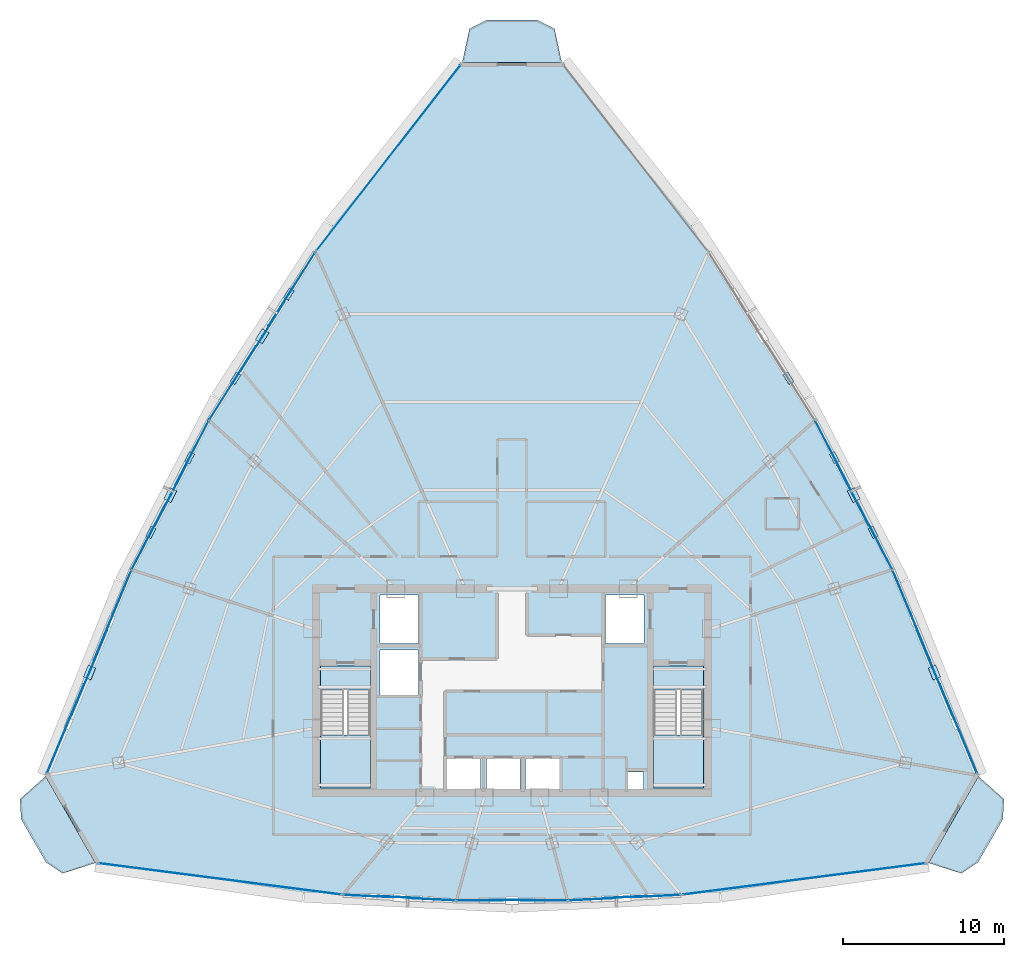
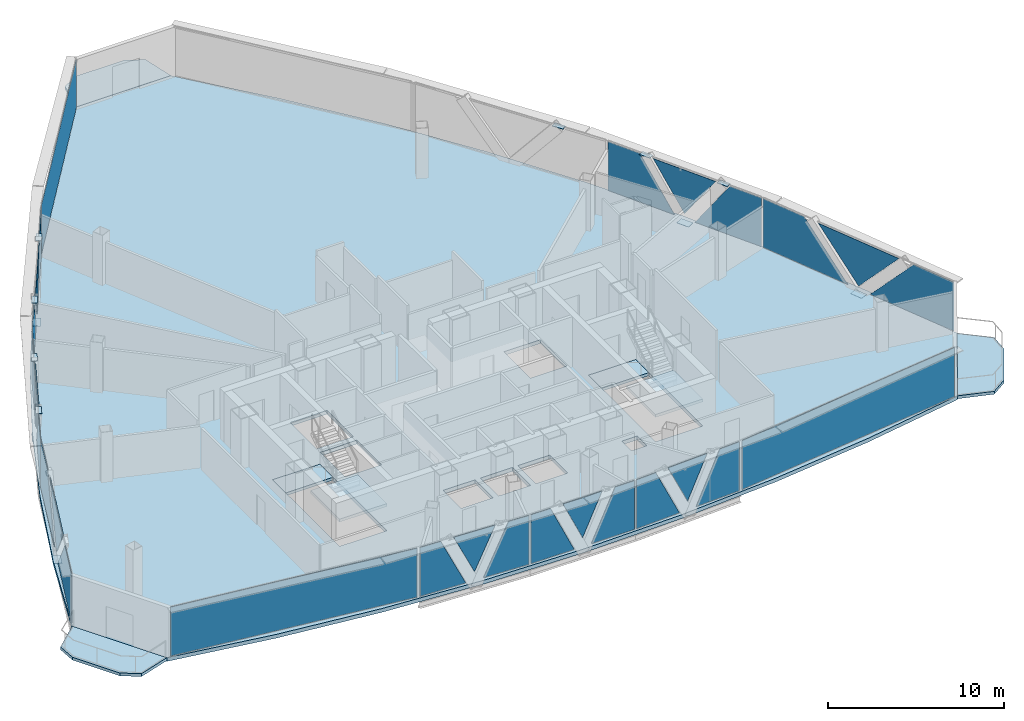
# One storey, part 26 of 33: 39 plates, 8 slabs, 13 elements without a shape of their own.
"""IFC4 building model written with IfcOpenShell, lengths in metres."""

from ifc_helpers import new_model, si_unit, direction, frame, origin, origin_2d, place, context, subcontext, project, spatial, polyline, rectangle, outline, extrude, source, transform, mapped, material, layer, layer_set, type_object, element, aggregate, save


model = new_model("IFC4")

# Units and contexts
model_context = context("Model", 3, precision=1e-05, world=origin(), true_north=direction((0.0, 1.0)))
body_context = subcontext(model_context, "Body", "Model", "MODEL_VIEW")
ifc_project = project(units=[si_unit("LENGTHUNIT", "METRE"), si_unit("AREAUNIT", "SQUARE_METRE"), si_unit("VOLUMEUNIT", "CUBIC_METRE"), si_unit("PLANEANGLEUNIT", "RADIAN"), si_unit("MASSUNIT", "GRAM", prefix="KILO"), si_unit("THERMODYNAMICTEMPERATUREUNIT", "KELVIN"), si_unit("POWERUNIT", "WATT")], contexts=[model_context])

# Site, building, storey
site_placement = place(None, origin())
site = spatial("IfcSite", under=ifc_project, at=site_placement, CompositionType="ELEMENT")
building_placement = place(site_placement, origin())
building = spatial("IfcBuilding", under=site, at=building_placement, Name="Yunzhuo Pagoda Commons", CompositionType="ELEMENT")
storey_placement = place(building_placement, frame((0.0, 0.0, 329.260009765625)))
storey = spatial("IfcBuildingStorey", under=building, at=storey_placement, Name="L82", CompositionType="ELEMENT", Elevation=329.260009765625)

# Curtain wall, plates
ifc_material_1 = material(Name="Anodized aluminium 6063-T6", Category="aluminium")
ifc_layer_1 = layer(ifc_material_1, 0.139892578125)
ifc_layer_set_1 = layer_set([ifc_layer_1], Name="Anodized aluminium 6063-T6")
curtain_wall_type = type_object("IfcCurtainWallType", Name="CW-HI High-Zone Ribbon Curtain Wall", PredefinedType="NOTDEFINED", material=ifc_layer_set_1)
curtain_wall_1_placement = place(storey_placement, origin())
curtain_wall_1 = element("IfcCurtainWall", 1, at=curtain_wall_1_placement, inside=storey, type_object=curtain_wall_type, Name="L82 curtain wall CW-L82-F1B2", PredefinedType="NOTDEFINED")
ifc_material_2 = material(Name="Tempered low-e double glazing", Category="glass")
ifc_layer_2 = layer(ifc_material_2, 0.02587890625)
ifc_layer_set_2 = layer_set([ifc_layer_2], Name="Tempered low-e double glazing")
plate_type_1 = type_object("IfcPlateType", Name="CW-HI-P Low-E Double Glazing 26", PredefinedType="CURTAIN_PANEL", material=ifc_layer_set_2)
plate_1_placement = place(storey_placement, frame((38.998046875, 21.10791015625, 1.744873046875), z_axis=(-0.049850155702, -0.998756708101, 0.0), x_axis=(0.998756708101, -0.049850155702, 0.0)))
plate_1 = element("IfcPlate", 2, at=plate_1_placement, type_object=plate_type_1, Name="CW panel 1.1 lite 1", PredefinedType="CURTAIN_PANEL", context=body_context, shape_type="SweptSolid", body=[
    extrude(outline(polyline([(-1.45361328125, -1.68994140625), (1.45361328125, -1.68994140625), (-0.139892578125, 1.68994140625), (-1.45361328125, 1.68994140625), (-1.45361328125, -1.68994140625)])), origin(), (0.0, 0.0, 1.0), 0.028076171875),
])
plate_2_placement = place(storey_placement, frame((41.01904296875, 21.037109375, 2.033203125), z_axis=(-0.049850155702, -0.998756708101, 0.0), x_axis=(0.998756708101, -0.049850155702, 0.0)))
plate_2 = element("IfcPlate", 3, at=plate_2_placement, type_object=plate_type_1, Name="CW panel 1.1 lite 2", PredefinedType="CURTAIN_PANEL", context=body_context, shape_type="SweptSolid", body=[
    extrude(outline(polyline([(-1.32177734375, 1.40185546875), (0.0, -1.40185546875), (1.32177734375, 1.40185546875), (-1.32177734375, 1.40185546875)])), origin(), (0.0, 0.0, 1.0), 0.028076171875),
])
plate_3_placement = place(storey_placement, frame((43.037109375, 20.90625, 1.744873046875), z_axis=(-0.049850155702, -0.998756708101, 0.0), x_axis=(0.998756708101, -0.049850155702, 0.0)))
plate_3 = element("IfcPlate", 4, at=plate_3_placement, type_object=plate_type_1, Name="CW panel 1.1 lite 3", PredefinedType="CURTAIN_PANEL", context=body_context, shape_type="SweptSolid", body=[
    extrude(outline(polyline([(-1.45361328125, -1.68994140625), (1.45361328125, -1.68994140625), (1.45361328125, 1.68994140625), (0.139892578125, 1.68994140625), (-1.45361328125, -1.68994140625)])), origin(), (0.0, 0.0, 1.0), 0.028076171875),
])
aggregate(curtain_wall_1, [plate_1, plate_2, plate_3])

curtain_wall_2_placement = place(storey_placement, origin())
curtain_wall_2 = element("IfcCurtainWall", 5, at=curtain_wall_2_placement, inside=storey, type_object=curtain_wall_type, Name="L82 curtain wall CW-L82-F1B3", PredefinedType="NOTDEFINED")
plate_4_placement = place(storey_placement, frame((46.0224609375, 20.8310546875, 1.744873046875), z_axis=(0.0, -1.0, 0.0), x_axis=(1.0, 0.0, 0.0)))
plate_4 = element("IfcPlate", 6, at=plate_4_placement, type_object=plate_type_1, Name="CW panel 1.1 lite 1", PredefinedType="CURTAIN_PANEL", context=body_context, shape_type="SweptSolid", body=[
    extrude(outline(polyline([(-1.414306640625, -1.68994140625), (1.414306640625, -1.68994140625), (-0.141357421875, 1.68994140625), (-1.414306640625, 1.68994140625), (-1.414306640625, -1.68994140625)])), origin(), (0.0, 0.0, 1.0), 0.028076171875),
])
plate_5_placement = place(storey_placement, frame((48.0, 20.86083984375, 2.0419921875), z_axis=(0.0, -1.0, 0.0), x_axis=(1.0, 0.0, 0.0)))
plate_5 = element("IfcPlate", 7, at=plate_5_placement, type_object=plate_type_1, Name="CW panel 1.1 lite 2", PredefinedType="CURTAIN_PANEL", context=body_context, shape_type="SweptSolid", body=[
    extrude(outline(polyline([(-1.282470703125, 1.39306640625), (0.0, -1.39306640625), (1.282470703125, 1.39306640625), (-1.282470703125, 1.39306640625)])), origin(), (0.0, 0.0, 1.0), 0.028076171875),
])
plate_6_placement = place(storey_placement, frame((49.9775390625, 20.8310546875, 1.744873046875), z_axis=(0.0, -1.0, 0.0), x_axis=(1.0, 0.0, 0.0)))
plate_6 = element("IfcPlate", 8, at=plate_6_placement, type_object=plate_type_1, Name="CW panel 1.1 lite 3", PredefinedType="CURTAIN_PANEL", context=body_context, shape_type="SweptSolid", body=[
    extrude(outline(polyline([(-1.414306640625, -1.68994140625), (1.414306640625, -1.68994140625), (1.414306640625, 1.68994140625), (0.141357421875, 1.68994140625), (-1.414306640625, -1.68994140625)])), origin(), (0.0, 0.0, 1.0), 0.028076171875),
])
aggregate(curtain_wall_2, [plate_4, plate_5, plate_6])

curtain_wall_3_placement = place(storey_placement, origin())
curtain_wall_3 = element("IfcCurtainWall", 9, at=curtain_wall_3_placement, inside=storey, type_object=curtain_wall_type, Name="L82 curtain wall CW-L82-F1B4", PredefinedType="NOTDEFINED")
plate_7_placement = place(storey_placement, frame((52.962890625, 20.90625, 1.744873046875), z_axis=(0.049850155702, -0.998756708101, 0.0), x_axis=(0.998756708101, 0.049850155702, 0.0)))
plate_7 = element("IfcPlate", 10, at=plate_7_placement, type_object=plate_type_1, Name="CW panel 1.1 lite 1", PredefinedType="CURTAIN_PANEL", context=body_context, shape_type="SweptSolid", body=[
    extrude(outline(polyline([(-1.45361328125, -1.68994140625), (1.45361328125, -1.68994140625), (-0.139892578125, 1.68994140625), (-1.45361328125, 1.68994140625), (-1.45361328125, -1.68994140625)])), origin(), (0.0, 0.0, 1.0), 0.028076171875),
])
plate_8_placement = place(storey_placement, frame((54.98095703125, 21.037109375, 2.033203125), z_axis=(0.049850155702, -0.998756708101, 0.0), x_axis=(0.998756708101, 0.049850155702, 0.0)))
plate_8 = element("IfcPlate", 11, at=plate_8_placement, type_object=plate_type_1, Name="CW panel 1.1 lite 2", PredefinedType="CURTAIN_PANEL", context=body_context, shape_type="SweptSolid", body=[
    extrude(outline(polyline([(-1.32177734375, 1.40185546875), (0.0, -1.40185546875), (1.32177734375, 1.40185546875), (-1.32177734375, 1.40185546875)])), origin(), (0.0, 0.0, 1.0), 0.028076171875),
])
plate_9_placement = place(storey_placement, frame((57.001953125, 21.10791015625, 1.744873046875), z_axis=(0.049850155702, -0.998756708101, 0.0), x_axis=(0.998756708101, 0.049850155702, 0.0)))
plate_9 = element("IfcPlate", 12, at=plate_9_placement, type_object=plate_type_1, Name="CW panel 1.1 lite 3", PredefinedType="CURTAIN_PANEL", context=body_context, shape_type="SweptSolid", body=[
    extrude(outline(polyline([(-1.45361328125, -1.68994140625), (1.45361328125, -1.68994140625), (1.45361328125, 1.68994140625), (0.139892578125, 1.68994140625), (-1.45361328125, -1.68994140625)])), origin(), (0.0, 0.0, 1.0), 0.028076171875),
])
aggregate(curtain_wall_3, [plate_7, plate_8, plate_9])

curtain_wall_4_placement = place(storey_placement, origin())
curtain_wall_4 = element("IfcCurtainWall", 13, at=curtain_wall_4_placement, inside=storey, type_object=curtain_wall_type, Name="L82 curtain wall CW-L82-F2B2", PredefinedType="NOTDEFINED")
plate_10_placement = place(storey_placement, frame((75.74462890625, 31.50146484375, 1.744873046875), z_axis=(0.923407166951, 0.383821838909, 0.0), x_axis=(-0.383821838909, 0.923407166951, 0.0)))
plate_10 = element("IfcPlate", 14, at=plate_10_placement, type_object=plate_type_1, Name="CW panel 1.1 lite 1", PredefinedType="CURTAIN_PANEL", context=body_context, shape_type="SweptSolid", body=[
    extrude(outline(polyline([(-2.989013671875, -1.68994140625), (2.989013671875, -1.68994140625), (-0.121337890625, 1.68994140625), (-2.989013671875, 1.68994140625), (-2.989013671875, -1.68994140625)])), origin(), (0.0, 0.0, 1.0), 0.028076171875),
])
plate_11_placement = place(storey_placement, frame((74.26025390625, 34.99462890625, 1.8681640625), z_axis=(0.923407166951, 0.383821838909, 0.0), x_axis=(-0.383821838909, 0.923407166951, 0.0)))
plate_11 = element("IfcPlate", 15, at=plate_11_placement, type_object=plate_type_1, Name="CW panel 1.1 lite 2", PredefinedType="CURTAIN_PANEL", context=body_context, shape_type="SweptSolid", body=[
    extrude(outline(polyline([(-2.884033203125, 1.56689453125), (0.0, -1.56689453125), (2.884033203125, 1.56689453125), (-2.884033203125, 1.56689453125)])), origin(), (0.0, 0.0, 1.0), 0.028076171875),
])
plate_12_placement = place(storey_placement, frame((72.820068359375, 38.537353515625, 1.744873046875), z_axis=(0.923407166951, 0.383821838909, 0.0), x_axis=(-0.383821838909, 0.923407166951, 0.0)))
plate_12 = element("IfcPlate", 16, at=plate_12_placement, type_object=plate_type_1, Name="CW panel 1.1 lite 3", PredefinedType="CURTAIN_PANEL", context=body_context, shape_type="SweptSolid", body=[
    extrude(outline(polyline([(-3.017822265625, -1.68994140625), (3.017822265625, -1.68994140625), (3.017822265625, 1.68994140625), (0.0927734375, 1.68994140625), (-3.017822265625, -1.68994140625)])), origin(), (0.0, 0.0, 1.0), 0.028076171875),
])
aggregate(curtain_wall_4, [plate_10, plate_11, plate_12])

curtain_wall_5_placement = place(storey_placement, origin())
curtain_wall_5 = element("IfcCurtainWall", 17, at=curtain_wall_5_placement, inside=storey, type_object=curtain_wall_type, Name="L82 curtain wall CW-L82-F2B3", PredefinedType="NOTDEFINED")
plate_13_placement = place(storey_placement, frame((70.58056640625, 43.422607421875, 1.744873046875), z_axis=(0.88794759819, 0.45994463022, 0.0), x_axis=(-0.45994463022, 0.88794759819, 0.0)))
plate_13 = element("IfcPlate", 18, at=plate_13_placement, type_object=plate_type_1, Name="CW panel 1.1 lite 1", PredefinedType="CURTAIN_PANEL", context=body_context, shape_type="SweptSolid", body=[
    extrude(outline(polyline([(-2.241943359375, -1.68994140625), (2.241943359375, -1.68994140625), (-0.113525390625, 1.68994140625), (-2.241943359375, 1.68994140625), (-2.241943359375, -1.68994140625)])), origin(), (0.0, 0.0, 1.0), 0.028076171875),
])
plate_14_placement = place(storey_placement, frame((69.208740234375, 46.005859375, 1.919677734375), z_axis=(0.88794759819, 0.45994463022, 0.0), x_axis=(-0.45994463022, 0.88794759819, 0.0)))
plate_14 = element("IfcPlate", 19, at=plate_14_placement, type_object=plate_type_1, Name="CW panel 1.1 lite 2", PredefinedType="CURTAIN_PANEL", context=body_context, shape_type="SweptSolid", body=[
    extrude(outline(polyline([(-2.11181640625, 1.51513671875), (0.0, -1.51513671875), (2.11181640625, 1.51513671875), (-2.11181640625, 1.51513671875)])), origin(), (0.0, 0.0, 1.0), 0.028076171875),
])
plate_15_placement = place(storey_placement, frame((67.89013671875, 48.616455078125, 1.744873046875), z_axis=(0.88794759819, 0.45994463022, 0.0), x_axis=(-0.45994463022, 0.88794759819, 0.0)))
plate_15 = element("IfcPlate", 20, at=plate_15_placement, type_object=plate_type_1, Name="CW panel 1.1 lite 3", PredefinedType="CURTAIN_PANEL", context=body_context, shape_type="SweptSolid", body=[
    extrude(outline(polyline([(-2.241943359375, -1.68994140625), (2.241943359375, -1.68994140625), (2.241943359375, 1.68994140625), (0.113525390625, 1.68994140625), (-2.241943359375, -1.68994140625)])), origin(), (0.0, 0.0, 1.0), 0.028076171875),
])
aggregate(curtain_wall_5, [plate_13, plate_14, plate_15])

curtain_wall_6_placement = place(storey_placement, origin())
curtain_wall_6 = element("IfcCurtainWall", 21, at=curtain_wall_6_placement, inside=storey, type_object=curtain_wall_type, Name="L82 curtain wall CW-L82-F3B2", PredefinedType="NOTDEFINED")
plate_16_placement = place(storey_placement, frame((34.32275390625, 58.80908203125, 1.744873046875), z_axis=(-0.845148830397, 0.534531060349, 0.0), x_axis=(-0.534531060349, -0.845148830397, 0.0)))
plate_16 = element("IfcPlate", 22, at=plate_16_placement, type_object=plate_type_1, Name="CW panel 1.1 lite 1", PredefinedType="CURTAIN_PANEL", context=body_context, shape_type="SweptSolid", body=[
    extrude(outline(polyline([(-2.692138671875, -1.68994140625), (2.692138671875, -1.68994140625), (-0.100830078125, 1.68994140625), (-2.692138671875, 1.68994140625), (-2.692138671875, -1.68994140625)])), origin(), (0.0, 0.0, 1.0), 0.028076171875),
])
plate_17_placement = place(storey_placement, frame((32.50634765625, 55.88134765625, 1.8857421875), z_axis=(-0.845148830397, 0.534531060349, 0.0), x_axis=(-0.534531060349, -0.845148830397, 0.0)))
plate_17 = element("IfcPlate", 23, at=plate_17_placement, type_object=plate_type_1, Name="CW panel 1.1 lite 2", PredefinedType="CURTAIN_PANEL", context=body_context, shape_type="SweptSolid", body=[
    extrude(outline(polyline([(-2.560302734375, 1.54931640625), (0.0, -1.54931640625), (2.560302734375, 1.54931640625), (-2.560302734375, 1.54931640625)])), origin(), (0.0, 0.0, 1.0), 0.028076171875),
])
plate_18_placement = place(storey_placement, frame((30.639404296875, 52.9853515625, 1.744873046875), z_axis=(-0.845148830397, 0.534531060349, 0.0), x_axis=(-0.534531060349, -0.845148830397, 0.0)))
plate_18 = element("IfcPlate", 24, at=plate_18_placement, type_object=plate_type_1, Name="CW panel 1.1 lite 3", PredefinedType="CURTAIN_PANEL", context=body_context, shape_type="SweptSolid", body=[
    extrude(outline(polyline([(-2.692138671875, -1.68994140625), (2.692138671875, -1.68994140625), (2.692138671875, 1.68994140625), (0.100830078125, 1.68994140625), (-2.692138671875, -1.68994140625)])), origin(), (0.0, 0.0, 1.0), 0.028076171875),
])
aggregate(curtain_wall_6, [plate_16, plate_17, plate_18])

curtain_wall_7_placement = place(storey_placement, origin())
curtain_wall_7 = element("IfcCurtainWall", 25, at=curtain_wall_7_placement, inside=storey, type_object=curtain_wall_type, Name="L82 curtain wall CW-L82-F3B3", PredefinedType="NOTDEFINED")
plate_19_placement = place(storey_placement, frame((28.10986328125, 48.616455078125, 1.744873046875), z_axis=(-0.88794759819, 0.45994463022, 0.0), x_axis=(-0.45994463022, -0.88794759819, 0.0)))
plate_19 = element("IfcPlate", 26, at=plate_19_placement, type_object=plate_type_1, Name="CW panel 1.1 lite 1", PredefinedType="CURTAIN_PANEL", context=body_context, shape_type="SweptSolid", body=[
    extrude(outline(polyline([(-2.241943359375, -1.68994140625), (2.241943359375, -1.68994140625), (-0.113525390625, 1.68994140625), (-2.241943359375, 1.68994140625), (-2.241943359375, -1.68994140625)])), origin(), (0.0, 0.0, 1.0), 0.028076171875),
])
plate_20_placement = place(storey_placement, frame((26.791259765625, 46.005859375, 1.919677734375), z_axis=(-0.88794759819, 0.45994463022, 0.0), x_axis=(-0.45994463022, -0.88794759819, 0.0)))
plate_20 = element("IfcPlate", 27, at=plate_20_placement, type_object=plate_type_1, Name="CW panel 1.1 lite 2", PredefinedType="CURTAIN_PANEL", context=body_context, shape_type="SweptSolid", body=[
    extrude(outline(polyline([(-2.11181640625, 1.51513671875), (0.0, -1.51513671875), (2.11181640625, 1.51513671875), (-2.11181640625, 1.51513671875)])), origin(), (0.0, 0.0, 1.0), 0.028076171875),
])
plate_21_placement = place(storey_placement, frame((25.41943359375, 43.422607421875, 1.744873046875), z_axis=(-0.88794759819, 0.45994463022, 0.0), x_axis=(-0.45994463022, -0.88794759819, 0.0)))
plate_21 = element("IfcPlate", 28, at=plate_21_placement, type_object=plate_type_1, Name="CW panel 1.1 lite 3", PredefinedType="CURTAIN_PANEL", context=body_context, shape_type="SweptSolid", body=[
    extrude(outline(polyline([(-2.241943359375, -1.68994140625), (2.241943359375, -1.68994140625), (2.241943359375, 1.68994140625), (0.113525390625, 1.68994140625), (-2.241943359375, -1.68994140625)])), origin(), (0.0, 0.0, 1.0), 0.028076171875),
])
aggregate(curtain_wall_7, [plate_19, plate_20, plate_21])

curtain_wall_8_placement = place(storey_placement, origin())
curtain_wall_8 = element("IfcCurtainWall", 29, at=curtain_wall_8_placement, inside=storey, type_object=curtain_wall_type, Name="L82 curtain wall CW-L82-F3B4", PredefinedType="NOTDEFINED")
plate_22_placement = place(storey_placement, frame((23.179931640625, 38.537353515625, 1.744873046875), z_axis=(-0.923407166951, 0.383821838909, 0.0), x_axis=(-0.383821838909, -0.923407166951, 0.0)))
plate_22 = element("IfcPlate", 30, at=plate_22_placement, type_object=plate_type_1, Name="CW panel 1.1 lite 1", PredefinedType="CURTAIN_PANEL", context=body_context, shape_type="SweptSolid", body=[
    extrude(outline(polyline([(-3.017822265625, -1.68994140625), (3.017822265625, -1.68994140625), (-0.0927734375, 1.68994140625), (-3.017822265625, 1.68994140625), (-3.017822265625, -1.68994140625)])), origin(), (0.0, 0.0, 1.0), 0.028076171875),
])
plate_23_placement = place(storey_placement, frame((21.73974609375, 34.99462890625, 1.8681640625), z_axis=(-0.923407166951, 0.383821838909, 0.0), x_axis=(-0.383821838909, -0.923407166951, 0.0)))
plate_23 = element("IfcPlate", 31, at=plate_23_placement, type_object=plate_type_1, Name="CW panel 1.1 lite 2", PredefinedType="CURTAIN_PANEL", context=body_context, shape_type="SweptSolid", body=[
    extrude(outline(polyline([(-2.884033203125, 1.56689453125), (0.0, -1.56689453125), (2.884033203125, 1.56689453125), (-2.884033203125, 1.56689453125)])), origin(), (0.0, 0.0, 1.0), 0.028076171875),
])
plate_24_placement = place(storey_placement, frame((20.25537109375, 31.50146484375, 1.744873046875), z_axis=(-0.923407166951, 0.383821838909, 0.0), x_axis=(-0.383821838909, -0.923407166951, 0.0)))
plate_24 = element("IfcPlate", 32, at=plate_24_placement, type_object=plate_type_1, Name="CW panel 1.1 lite 3", PredefinedType="CURTAIN_PANEL", context=body_context, shape_type="SweptSolid", body=[
    extrude(outline(polyline([(-2.989013671875, -1.68994140625), (2.989013671875, -1.68994140625), (2.989013671875, 1.68994140625), (0.121337890625, 1.68994140625), (-2.989013671875, -1.68994140625)])), origin(), (0.0, 0.0, 1.0), 0.028076171875),
])
aggregate(curtain_wall_8, [plate_22, plate_23, plate_24])

# Slabs
ifc_material_3 = material(Name="Concrete C40", Category="concrete")
ifc_layer_3 = layer(ifc_material_3, 0.199951171875)
ifc_layer_set_3 = layer_set([ifc_layer_3], Name="Concrete C40")
slab_type_1 = type_object("IfcSlabType", Name="SL-BAL Vertex Balcony Deck Slab 200", PredefinedType="FLOOR", material=ifc_layer_set_3)
slab_1_placement = place(storey_placement, frame((0.0, 0.0, -0.199951171875)))
element("IfcSlab", 33, at=slab_1_placement, inside=storey, type_object=slab_type_1, Name="L82 corner balcony V1", PredefinedType="FLOOR", context=body_context, shape_type="SweptSolid", body=[
    extrude(outline(polyline([(19.00244140625, 28.541748046875), (22.095947265625, 23.15380859375), (20.054931640625, 22.5009765625), (19.02880859375, 23.183837890625), (17.48193359375, 25.877685546875), (17.40966796875, 27.1083984375), (19.00244140625, 28.541748046875)])), origin(), (0.0, 0.0, 1.0), 0.199951171875),
])
slab_2_placement = place(storey_placement, frame((0.0, 0.0, -0.199951171875)))
element("IfcSlab", 34, at=slab_2_placement, inside=storey, type_object=slab_type_1, Name="L82 corner balcony V2", PredefinedType="FLOOR", context=body_context, shape_type="SweptSolid", body=[
    extrude(outline(polyline([(73.904052734375, 23.15380859375), (76.99755859375, 28.541748046875), (78.59033203125, 27.1083984375), (78.51806640625, 25.877685546875), (76.97119140625, 23.183837890625), (75.945068359375, 22.5009765625), (73.904052734375, 23.15380859375)])), origin(), (0.0, 0.0, 1.0), 0.199951171875),
])
slab_3_placement = place(storey_placement, frame((0.0, 0.0, -0.199951171875)))
element("IfcSlab", 35, at=slab_3_placement, inside=storey, type_object=slab_type_1, Name="L82 corner balcony V3", PredefinedType="FLOOR", context=body_context, shape_type="SweptSolid", body=[
    extrude(outline(polyline([(51.093505859375, 72.918212890625), (44.906494140625, 72.918212890625), (45.3564453125, 75.01318359375), (46.453125, 75.563232421875), (49.546875, 75.563232421875), (50.6435546875, 75.01318359375), (51.093505859375, 72.918212890625)])), origin(), (0.0, 0.0, 1.0), 0.199951171875),
])

# Stair, slabs
stair_type_1 = type_object("IfcStairType", Name="ST-C1 Core Smokeproof Stair ST1", PredefinedType="HALF_TURN_STAIR", material=ifc_material_3)
stair_1_placement = place(storey_placement, origin())
stair_1 = element("IfcStair", 36, at=stair_1_placement, inside=storey, type_object=stair_type_1, Name="L82 Core smokeproof stair ST1", PredefinedType="HALF_TURN_STAIR")
ifc_layer_4 = layer(ifc_material_3, 0.199951171875)
ifc_layer_set_4 = layer_set([ifc_layer_4], Name="Concrete C40")
slab_type_2 = type_object("IfcSlabType", Name="SL-LND1 Stair Landing Slab 200", PredefinedType="LANDING", material=ifc_layer_set_4)
slab_4_placement = place(storey_placement, frame((0.0, 0.0, 1.675048828125)))
slab_4 = element("IfcSlab", 37, at=slab_4_placement, type_object=slab_type_2, Name="ST1 landing 1", PredefinedType="LANDING", context=body_context, shape_type="SweptSolid", body=[
    extrude(outline(polyline([(36.10009765625, 31.10009765625), (36.10009765625, 27.800048828125), (39.199951171875, 27.800048828125), (39.199951171875, 31.10009765625), (36.10009765625, 31.10009765625)])), origin(), (0.0, 0.0, 1.0), 0.199951171875),
])
slab_5_placement = place(storey_placement, frame((0.0, 0.0, -0.199951171875)))
slab_5 = element("IfcSlab", 38, at=slab_5_placement, type_object=slab_type_2, Name="ST1 floor landing L82", PredefinedType="LANDING", context=body_context, shape_type="SweptSolid", body=[
    extrude(outline(polyline([(36.10009765625, 35.39990234375), (36.10009765625, 33.89990234375), (39.199951171875, 33.89990234375), (39.199951171875, 35.39990234375), (36.10009765625, 35.39990234375)])), origin(), (0.0, 0.0, 1.0), 0.199951171875),
])
aggregate(stair_1, [slab_4, slab_5])

stair_type_2 = type_object("IfcStairType", Name="ST-C2 Core Smokeproof Stair ST2", PredefinedType="HALF_TURN_STAIR", material=ifc_material_3)
stair_2_placement = place(storey_placement, origin())
stair_2 = element("IfcStair", 39, at=stair_2_placement, inside=storey, type_object=stair_type_2, Name="L82 Core smokeproof stair ST2", PredefinedType="HALF_TURN_STAIR")
ifc_layer_5 = layer(ifc_material_3, 0.201904296875)
ifc_layer_set_5 = layer_set([ifc_layer_5], Name="Concrete C40")
slab_type_3 = type_object("IfcSlabType", Name="SL-LND2 Stair Landing Slab 202", PredefinedType="LANDING", material=ifc_layer_set_5)
slab_6_placement = place(storey_placement, frame((0.0, 0.0, 1.675048828125)))
slab_6 = element("IfcSlab", 40, at=slab_6_placement, type_object=slab_type_3, Name="ST2 landing 1", PredefinedType="LANDING", context=body_context, shape_type="SweptSolid", body=[
    extrude(outline(polyline([(56.800048828125, 31.10009765625), (56.800048828125, 27.800048828125), (59.89990234375, 27.800048828125), (59.89990234375, 31.10009765625), (56.800048828125, 31.10009765625)])), origin(), (0.0, 0.0, 1.0), 0.199951171875),
])
slab_7_placement = place(storey_placement, frame((0.0, 0.0, -0.199951171875)))
slab_7 = element("IfcSlab", 41, at=slab_7_placement, type_object=slab_type_3, Name="ST2 floor landing L82", PredefinedType="LANDING", context=body_context, shape_type="SweptSolid", body=[
    extrude(outline(polyline([(56.800048828125, 35.39990234375), (56.800048828125, 33.89990234375), (59.89990234375, 33.89990234375), (59.89990234375, 35.39990234375), (56.800048828125, 35.39990234375)])), origin(), (0.0, 0.0, 1.0), 0.199951171875),
])
aggregate(stair_2, [slab_6, slab_7])

# Slab
ifc_layer_6 = layer(ifc_material_3, 0.260009765625)
ifc_layer_set_6 = layer_set([ifc_layer_6], Name="Concrete C40")
slab_type_4 = type_object("IfcSlabType", Name="SL-TWR Typical Tower Floor Slab 260", PredefinedType="FLOOR", material=ifc_layer_set_6)
slab_8_placement = place(storey_placement, frame((0.0, 0.0, -0.260009765625)))
element("IfcSlab", 42, at=slab_8_placement, inside=storey, type_object=slab_type_4, Name="L82 structural floor slab", PredefinedType="FLOOR", context=body_context, shape_type="SweptSolid", body=[
    extrude(outline(polyline([(21.291748046875, 34.646240234375), (23.84912109375, 40.589599609375), (26.67822265625, 46.373779296875), (29.77978515625, 51.99951171875), (33.1533203125, 57.46630859375), (36.798828125, 62.774169921875), (40.716552734375, 67.923095703125), (44.906494140625, 72.913330078125), (51.093505859375, 72.913330078125), (55.283447265625, 67.923095703125), (59.201171875, 62.774169921875), (62.8466796875, 57.46630859375), (66.22021484375, 51.99951171875), (69.32177734375, 46.373779296875), (72.15087890625, 40.589599609375), (74.708251953125, 34.646240234375), (76.993408203125, 28.544189453125), (73.89990234375, 23.156494140625), (67.4248046875, 22.0537109375), (60.949951171875, 21.265869140625), (54.474853515625, 20.793212890625), (48.0, 20.6357421875), (41.525146484375, 20.793212890625), (35.050048828125, 21.265869140625), (28.5751953125, 22.0537109375), (22.10009765625, 23.156494140625), (19.006591796875, 28.544189453125), (21.291748046875, 34.646240234375)]), holes=[polyline([(56.179931640625, 28.800048828125), (55.179931640625, 28.800048828125), (55.179931640625, 27.699951171875), (56.179931640625, 27.699951171875), (56.179931640625, 28.800048828125)]), polyline([(46.050048828125, 29.64990234375), (43.949951171875, 29.64990234375), (43.949951171875, 27.60009765625), (46.050048828125, 27.60009765625), (46.050048828125, 29.64990234375)]), polyline([(48.5, 29.64990234375), (46.39990234375, 29.64990234375), (46.39990234375, 27.60009765625), (48.5, 27.60009765625), (48.5, 29.64990234375)]), polyline([(50.949951171875, 29.64990234375), (48.85009765625, 29.64990234375), (48.85009765625, 27.60009765625), (50.949951171875, 27.60009765625), (50.949951171875, 29.64990234375)]), polyline([(39.199951171875, 27.800048828125), (39.199951171875, 35.39990234375), (36.10009765625, 35.39990234375), (36.10009765625, 27.800048828125), (39.199951171875, 27.800048828125)]), polyline([(59.89990234375, 27.800048828125), (59.89990234375, 35.39990234375), (56.800048828125, 35.39990234375), (56.800048828125, 27.800048828125), (59.89990234375, 27.800048828125)]), polyline([(42.199951171875, 36.39990234375), (39.800048828125, 36.39990234375), (39.800048828125, 33.60009765625), (42.199951171875, 33.60009765625), (42.199951171875, 36.39990234375)]), polyline([(42.199951171875, 36.800048828125), (42.199951171875, 39.800048828125), (39.800048828125, 39.800048828125), (39.800048828125, 36.800048828125), (42.199951171875, 36.800048828125)]), polyline([(56.199951171875, 36.800048828125), (56.199951171875, 39.800048828125), (53.800048828125, 39.800048828125), (53.800048828125, 36.800048828125), (56.199951171875, 36.800048828125)])]), origin(), (0.0, 0.0, 1.0), 0.260009765625),
])

# Plates
ifc_material_4 = material(Name="Structural steel Q355B", Category="steel")
ifc_layer_7 = layer(ifc_material_4, 0.028076171875)
ifc_layer_set_7 = layer_set([ifc_layer_7], Name="Structural steel Q355B")
plate_type_2 = type_object("IfcPlateType", Name="SP-ND1 Lattice Node Cap Plate 800x500x28", PredefinedType="USERDEFINED", material=ifc_layer_set_7)
shared_shape_1 = source(origin(), body_context, "Body", "SweptSolid", [
    extrude(rectangle(XDim=0.800048828125, YDim=0.5, at=origin_2d()), origin(), (0.0, 0.0, 1.0), 0.028076171875),
])
for number, where, z_axis, x_axis, name in (
    (43, (74.264404296875, 34.99658203125, -0.27392578125), (0.0, 0.0, 1.0), (-0.378567847265, 0.925573543819, 0.0), "L82 diamond node plate F2.1A"),
    (44, (69.247802734375, 46.02587890625, -0.27392578125), (0.0, 0.0, 1.0), (-0.459951842017, 0.887943862541, 0.0), "L82 diamond node plate F2.2A"),
    (45, (32.468994140625, 55.90478515625, -0.27392578125), (0.0, 0.0, 1.0), (-0.534529368893, -0.84514990019, 0.0), "L82 diamond node plate F3.1A"),
    (46, (26.752197265625, 46.02587890625, -0.27392578125), (0.0, 0.0, 1.0), (-0.459951842017, -0.887943862541, 0.0), "L82 diamond node plate F3.2A"),
    (47, (21.735595703125, 34.99658203125, -0.27392578125), (0.0, 0.0, 1.0), (-0.378567847265, -0.925573543819, 0.0), "L82 diamond node plate F3.3A"),
):
    element("IfcPlate", number, at=place(storey_placement, frame(where, z_axis=z_axis, x_axis=x_axis)), inside=storey, type_object=plate_type_2, Name=name, ObjectType="STIFFENER_PLATE", PredefinedType="USERDEFINED", context=body_context, shape_type="MappedRepresentation", body=[
        mapped(shared_shape_1, transform((0.0, 0.0, 0.0), scale=1.0)),
    ])
shared_shape_2 = source(origin(), body_context, "Body", "SweptSolid", [
    extrude(rectangle(XDim=0.699951171875, YDim=0.35009765625, at=origin_2d()), origin(), (0.0, 0.0, 1.0), 0.035888671875),
])
for number, where, z_axis, x_axis, name in (
    (48, (70.44970703125, 43.705322265625, 3.4521484375), (0.0, 0.0, 1.0), (-0.459951842017, 0.887943862541, 0.0), "L82 setback lattice tie plate F2.2L"),
    (49, (68.045654296875, 48.346435546875, 3.4521484375), (0.0, 0.0, 1.0), (-0.459951842017, 0.887943862541, 0.0), "L82 setback lattice tie plate F2.2R"),
    (50, (65.187255859375, 53.285888671875, 3.4521484375), (0.0, 0.0, 1.0), (-0.534529368893, 0.84514990019, 0.0), "L82 setback lattice tie plate F2.3L"),
    (51, (34.12548828125, 58.523681640625, 3.4521484375), (0.0, 0.0, 1.0), (-0.534529368893, -0.84514990019, 0.0), "L82 setback lattice tie plate F3.1L"),
    (52, (30.812744140625, 53.285888671875, 3.4521484375), (0.0, 0.0, 1.0), (-0.534529368893, -0.84514990019, 0.0), "L82 setback lattice tie plate F3.1R"),
    (53, (27.954345703125, 48.346435546875, 3.4521484375), (0.0, 0.0, 1.0), (-0.459951842017, -0.887943862541, 0.0), "L82 setback lattice tie plate F3.2L"),
    (54, (25.55029296875, 43.705322265625, 3.4521484375), (0.0, 0.0, 1.0), (-0.459951842017, -0.887943862541, 0.0), "L82 setback lattice tie plate F3.2R"),
):
    element("IfcPlate", number, at=place(storey_placement, frame(where, z_axis=z_axis, x_axis=x_axis)), inside=storey, type_object=plate_type_2, Name=name, ObjectType="STIFFENER_PLATE", PredefinedType="USERDEFINED", context=body_context, shape_type="MappedRepresentation", body=[
        mapped(shared_shape_2, transform((0.0, 0.0, 0.0), scale=1.0)),
    ])

# Curtain wall, plate
curtain_wall_9_placement = place(storey_placement, origin())
curtain_wall_9 = element("IfcCurtainWall", 55, at=curtain_wall_9_placement, inside=storey, type_object=curtain_wall_type, Name="L82 curtain wall CW-L82-F1B1", PredefinedType="NOTDEFINED")
shared_shape_3 = source(origin(), body_context, "Body", "SweptSolid", [
    extrude(rectangle(XDim=15.1572265625, YDim=0.028076171875, at=origin_2d()), origin(), (0.0, 0.0, 1.0), 3.3798828125),
])
plate_25_placement = place(storey_placement, frame((29.835693359375, 22.158935546875, 0.054931640625), z_axis=(0.0, 0.0, 1.0), x_axis=(0.991738505453, -0.128276018031, 0.0)))
plate_25 = element("IfcPlate", 56, at=plate_25_placement, type_object=plate_type_1, Name="CW panel 1.1", PredefinedType="CURTAIN_PANEL", context=body_context, shape_type="MappedRepresentation", body=[
    mapped(shared_shape_3, transform((0.0, 0.0, 0.0), scale=1.0)),
])
aggregate(curtain_wall_9, [plate_25])

curtain_wall_10_placement = place(storey_placement, origin())
curtain_wall_10 = element("IfcCurtainWall", 57, at=curtain_wall_10_placement, inside=storey, type_object=curtain_wall_type, Name="L82 curtain wall CW-L82-F1B5", PredefinedType="NOTDEFINED")
plate_26_placement = place(storey_placement, frame((66.164306640625, 22.158935546875, 0.054931640625), z_axis=(0.0, 0.0, 1.0), x_axis=(0.991738505453, 0.128276018031, 0.0)))
plate_26 = element("IfcPlate", 58, at=plate_26_placement, type_object=plate_type_1, Name="CW panel 1.1", PredefinedType="CURTAIN_PANEL", context=body_context, shape_type="MappedRepresentation", body=[
    mapped(shared_shape_3, transform((0.0, 0.0, 0.0), scale=1.0)),
])
aggregate(curtain_wall_10, [plate_26])

curtain_wall_11_placement = place(storey_placement, origin())
curtain_wall_11 = element("IfcCurtainWall", 59, at=curtain_wall_11_placement, inside=storey, type_object=curtain_wall_type, Name="L82 curtain wall CW-L82-F3B1", PredefinedType="NOTDEFINED")
shared_shape_4 = source(origin(), body_context, "Body", "SweptSolid", [
    extrude(rectangle(XDim=14.537353515625, YDim=0.028076171875, at=origin_2d()), origin(), (0.0, 0.0, 1.0), 3.3798828125),
])
plate_27_placement = place(storey_placement, frame((40.319580078125, 66.99267578125, 0.054931640625), z_axis=(0.0, 0.0, 1.0), x_axis=(-0.612917502921, -0.790146906982, 0.0)))
plate_27 = element("IfcPlate", 60, at=plate_27_placement, type_object=plate_type_1, Name="CW panel 1.1", PredefinedType="CURTAIN_PANEL", context=body_context, shape_type="MappedRepresentation", body=[
    mapped(shared_shape_4, transform((0.0, 0.0, 0.0), scale=1.0)),
])
aggregate(curtain_wall_11, [plate_27])

save(model, "model.ifc")
